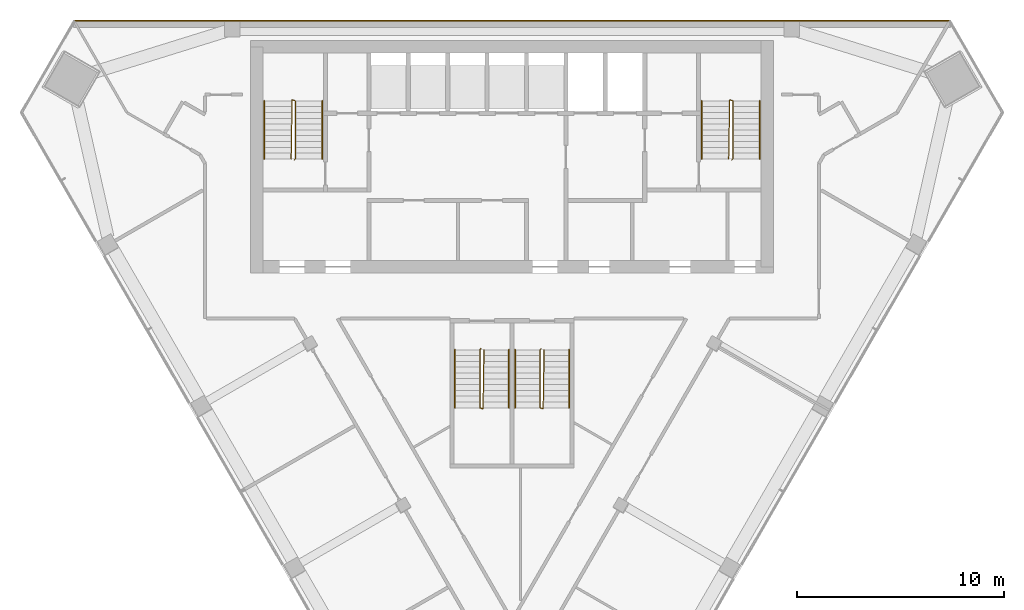
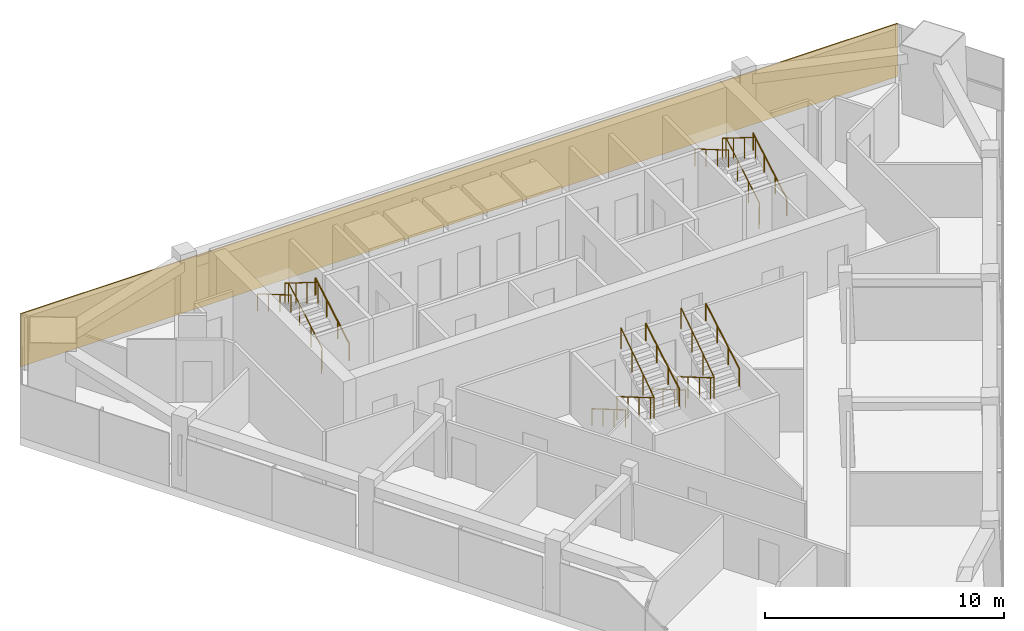
# One storey, part 11 of 12: 12 railings, 1 covering.
"""IFC4 building model written with IfcOpenShell, lengths in metres."""

from ifc_helpers import new_model, si_unit, direction, frame, frame_2d, origin, origin_2d, place, context, subcontext, project, spatial, rectangle, circle, extrude, material, layer, layer_set, type_object, element, save


model = new_model("IFC4")

# Units and contexts
model_context = context("Model", 3, precision=1e-05, world=origin(), true_north=direction((0.0, 1.0)))
body_context = subcontext(model_context, "Body", "Model", "MODEL_VIEW")
ifc_project = project(units=[si_unit("LENGTHUNIT", "METRE"), si_unit("AREAUNIT", "SQUARE_METRE"), si_unit("VOLUMEUNIT", "CUBIC_METRE"), si_unit("PLANEANGLEUNIT", "RADIAN"), si_unit("MASSUNIT", "GRAM", prefix="KILO")], contexts=[model_context])

# Site, building, storey
site_placement = place(None, origin())
site = spatial("IfcSite", under=ifc_project, at=site_placement, CompositionType="ELEMENT")
building_placement = place(site_placement, origin())
building = spatial("IfcBuilding", under=site, at=building_placement, Name="Altiplano Prism Tower", CompositionType="ELEMENT")
storey_placement = place(building_placement, frame((0.0, 0.0, 253.60009765625)))
storey = spatial("IfcBuildingStorey", under=building, at=storey_placement, Name="L65", CompositionType="ELEMENT", Elevation=253.60009765625)

# Railings
ifc_material_1 = material(Name="Steel S355", Category="steel")
railing_type_1 = type_object("IfcRailingType", Name="Stair guard 1100", PredefinedType="GUARDRAIL", material=ifc_material_1)
railing_1_placement = place(storey_placement, frame((74.5, 98.25, 0.0)))
element("IfcRailing", 1, at=railing_1_placement, inside=storey, type_object=railing_type_1, Name="L65 ST1 stair guard 1", PredefinedType="GUARDRAIL", context=body_context, shape_type="SweptSolid", body=[
    extrude(circle(Radius=0.02392578125, at=origin_2d()), frame((0.0, 0.0, 1.076171875), z_axis=(0.280808744504, 0.280808744504, 0.917765164963), x_axis=(-0.707106781187, 0.707106781187, 0.0)), (0.0, 0.0, 1.0), 0.17822265625),
    extrude(circle(Radius=0.02392578125, at=origin_2d()), frame((0.050048828125, 0.050048828125, 1.23974609375), z_axis=(0.0, 0.863393664356, 0.504530851732), x_axis=(-1.0, 0.0, 0.0)), (0.0, 0.0, 1.0), 3.2431640625),
    extrude(circle(Radius=0.02392578125, at=origin_2d()), frame((0.050048828125, 2.85009765625, 2.8759765625), z_axis=(-0.949145278916, 0.314838433982, 0.0), x_axis=(-0.314838433982, -0.949145278916, 0.0)), (0.0, 0.0, 1.0), 0.158203125),
    extrude(circle(Radius=0.02392578125, at=origin_2d()), frame((-0.10009765625, 2.89990234375, 2.8759765625), z_axis=(-0.01477401265, -0.845377694409, 0.533964682676), x_axis=(0.999847325713, -0.01747355902, 0.0)), (0.0, 0.0, 1.0), 3.37109375),
    extrude(circle(Radius=0.02099609375, at=origin_2d()), origin(), (0.0, 0.0, 1.0), 1.052001953125),
    extrude(circle(Radius=0.02099609375, at=origin_2d()), frame((0.050048828125, 0.050048828125, 0.16357421875)), (0.0, 0.0, 1.0), 1.052001953125),
    extrude(circle(Radius=0.02099609375, at=origin_2d()), frame((0.050048828125, 0.9833984375, 0.708984375)), (0.0, 0.0, 1.0), 1.052001953125),
    extrude(circle(Radius=0.02099609375, at=origin_2d()), frame((0.050048828125, 1.916748046875, 1.25439453125)), (0.0, 0.0, 1.0), 1.052001953125),
    extrude(circle(Radius=0.02099609375, at=origin_2d()), frame((0.050048828125, 2.85009765625, 1.7998046875)), (0.0, 0.0, 1.0), 1.052001953125),
    extrude(circle(Radius=0.02099609375, at=origin_2d()), frame((-0.10009765625, 2.89990234375, 1.7998046875)), (0.0, 0.0, 1.0), 1.052001953125),
    extrude(circle(Radius=0.02099609375, at=origin_2d()), frame((-0.11669921875, 1.949951171875, 2.39990234375)), (0.0, 0.0, 1.0), 1.052001953125),
    extrude(circle(Radius=0.02099609375, at=origin_2d()), frame((-0.13330078125, 1.0, 2.999755859375)), (0.0, 0.0, 1.0), 1.052001953125),
    extrude(circle(Radius=0.02099609375, at=origin_2d()), frame((-0.14990234375, 0.050048828125, 3.599853515625)), (0.0, 0.0, 1.0), 1.052001953125),
])
railing_2_placement = place(storey_placement, frame((95.60009765625, 98.25, 0.0)))
element("IfcRailing", 2, at=railing_2_placement, inside=storey, type_object=railing_type_1, Name="L65 ST2 stair guard 1", PredefinedType="GUARDRAIL", context=body_context, shape_type="SweptSolid", body=[
    extrude(circle(Radius=0.02392578125, at=origin_2d()), frame((0.0, 0.0, 1.076171875), z_axis=(0.279546231943, 0.280916556609, 0.91811752648), x_axis=(-0.708833529934, 0.705375805398, 0.0)), (0.0, 0.0, 1.0), 0.17822265625),
    extrude(circle(Radius=0.02392578125, at=origin_2d()), frame((0.0498046875, 0.050048828125, 1.23974609375), z_axis=(0.0, 0.863393664356, 0.504530851732), x_axis=(-1.0, 0.0, 0.0)), (0.0, 0.0, 1.0), 3.2431640625),
    extrude(circle(Radius=0.02392578125, at=origin_2d()), frame((0.0498046875, 2.85009765625, 2.8759765625), z_axis=(-0.948991962702, 0.315300261223, 0.0), x_axis=(-0.315300261223, -0.948991962702, 0.0)), (0.0, 0.0, 1.0), 0.157958984375),
    extrude(circle(Radius=0.02392578125, at=origin_2d()), frame((-0.10009765625, 2.89990234375, 2.8759765625), z_axis=(-0.014846418356, -0.845376787675, 0.533964109957), x_axis=(0.999845825584, -0.017559187376, 0.0)), (0.0, 0.0, 1.0), 3.37109375),
    extrude(circle(Radius=0.02099609375, at=origin_2d()), origin(), (0.0, 0.0, 1.0), 1.052001953125),
    extrude(circle(Radius=0.02099609375, at=origin_2d()), frame((0.0498046875, 0.050048828125, 0.16357421875)), (0.0, 0.0, 1.0), 1.052001953125),
    extrude(circle(Radius=0.02099609375, at=origin_2d()), frame((0.0498046875, 0.9833984375, 0.708984375)), (0.0, 0.0, 1.0), 1.052001953125),
    extrude(circle(Radius=0.02099609375, at=origin_2d()), frame((0.0498046875, 1.916748046875, 1.25439453125)), (0.0, 0.0, 1.0), 1.052001953125),
    extrude(circle(Radius=0.02099609375, at=origin_2d()), frame((0.0498046875, 2.85009765625, 1.7998046875)), (0.0, 0.0, 1.0), 1.052001953125),
    extrude(circle(Radius=0.02099609375, at=origin_2d()), frame((-0.10009765625, 2.89990234375, 1.7998046875)), (0.0, 0.0, 1.0), 1.052001953125),
    extrude(circle(Radius=0.02099609375, at=origin_2d()), frame((-0.11669921875, 1.949951171875, 2.39990234375)), (0.0, 0.0, 1.0), 1.052001953125),
    extrude(circle(Radius=0.02099609375, at=origin_2d()), frame((-0.133544921875, 1.0, 2.999755859375)), (0.0, 0.0, 1.0), 1.052001953125),
    extrude(circle(Radius=0.02099609375, at=origin_2d()), frame((-0.150146484375, 0.050048828125, 3.599853515625)), (0.0, 0.0, 1.0), 1.052001953125),
])
railing_3_placement = place(storey_placement, frame((83.5, 89.14990234375, 0.0)))
element("IfcRailing", 3, at=railing_3_placement, inside=storey, type_object=railing_type_1, Name="L65 ST3A stair guard 1", PredefinedType="GUARDRAIL", context=body_context, shape_type="SweptSolid", body=[
    extrude(circle(Radius=0.02392578125, at=origin_2d()), frame((0.0, 0.0, 1.076171875), z_axis=(-0.280916556609, -0.279546231943, 0.91811752648), x_axis=(0.705375805398, -0.708833529934, 0.0)), (0.0, 0.0, 1.0), 0.17822265625),
    extrude(circle(Radius=0.02392578125, at=origin_2d()), frame((-0.050048828125, -0.0498046875, 1.23974609375), z_axis=(0.0, -0.863393664356, 0.504530851732), x_axis=(1.0, 0.0, 0.0)), (0.0, 0.0, 1.0), 3.2431640625),
    extrude(circle(Radius=0.02392578125, at=origin_2d()), frame((-0.050048828125, -2.849853515625, 2.8759765625), z_axis=(0.948683298051, -0.316227766017, 0.0), x_axis=(0.316227766017, 0.948683298051, 0.0)), (0.0, 0.0, 1.0), 0.158203125),
    extrude(circle(Radius=0.02392578125, at=origin_2d()), frame((0.10009765625, -2.89990234375, 2.8759765625), z_axis=(0.014773108175, 0.84539835705, 0.533931993021), x_axis=(-0.999847351862, 0.017472062685, 0.0)), (0.0, 0.0, 1.0), 3.371337890625),
    extrude(circle(Radius=0.02099609375, at=origin_2d()), origin(), (0.0, 0.0, 1.0), 1.052001953125),
    extrude(circle(Radius=0.02099609375, at=origin_2d()), frame((-0.050048828125, -0.0498046875, 0.16357421875)), (0.0, 0.0, 1.0), 1.052001953125),
    extrude(circle(Radius=0.02099609375, at=origin_2d()), frame((-0.050048828125, -0.983154296875, 0.708984375)), (0.0, 0.0, 1.0), 1.052001953125),
    extrude(circle(Radius=0.02099609375, at=origin_2d()), frame((-0.050048828125, -1.91650390625, 1.25439453125)), (0.0, 0.0, 1.0), 1.052001953125),
    extrude(circle(Radius=0.02099609375, at=origin_2d()), frame((-0.050048828125, -2.849853515625, 1.7998046875)), (0.0, 0.0, 1.0), 1.052001953125),
    extrude(circle(Radius=0.02099609375, at=origin_2d()), frame((0.10009765625, -2.89990234375, 1.7998046875)), (0.0, 0.0, 1.0), 1.052001953125),
    extrude(circle(Radius=0.02099609375, at=origin_2d()), frame((0.11669921875, -1.949951171875, 2.39990234375)), (0.0, 0.0, 1.0), 1.052001953125),
    extrude(circle(Radius=0.02099609375, at=origin_2d()), frame((0.13330078125, -0.999755859375, 2.999755859375)), (0.0, 0.0, 1.0), 1.052001953125),
    extrude(circle(Radius=0.02099609375, at=origin_2d()), frame((0.14990234375, -0.0498046875, 3.599853515625)), (0.0, 0.0, 1.0), 1.052001953125),
])
railing_4_placement = place(storey_placement, frame((86.39990234375, 89.14990234375, 0.0)))
element("IfcRailing", 4, at=railing_4_placement, inside=storey, type_object=railing_type_1, Name="L65 ST3B stair guard 1", PredefinedType="GUARDRAIL", context=body_context, shape_type="SweptSolid", body=[
    extrude(circle(Radius=0.02392578125, at=origin_2d()), frame((0.0, 0.0, 1.076171875), z_axis=(-0.279653641804, -0.279653641804, 0.918470294159), x_axis=(0.707106781187, -0.707106781187, 0.0)), (0.0, 0.0, 1.0), 0.177978515625),
    extrude(circle(Radius=0.02392578125, at=origin_2d()), frame((-0.0498046875, -0.0498046875, 1.23974609375), z_axis=(0.0, -0.863393664356, 0.504530851732), x_axis=(1.0, 0.0, 0.0)), (0.0, 0.0, 1.0), 3.2431640625),
    extrude(circle(Radius=0.02392578125, at=origin_2d()), frame((-0.0498046875, -2.849853515625, 2.8759765625), z_axis=(0.948528701346, -0.316691178788, 0.0), x_axis=(0.316691178788, 0.948528701346, 0.0)), (0.0, 0.0, 1.0), 0.157958984375),
    extrude(circle(Radius=0.02392578125, at=origin_2d()), frame((0.10009765625, -2.89990234375, 2.8759765625), z_axis=(0.014845509451, 0.845397450405, 0.533931420407), x_axis=(-0.999845851991, 0.017557683712, 0.0)), (0.0, 0.0, 1.0), 3.371337890625),
    extrude(circle(Radius=0.02099609375, at=origin_2d()), origin(), (0.0, 0.0, 1.0), 1.052001953125),
    extrude(circle(Radius=0.02099609375, at=origin_2d()), frame((-0.0498046875, -0.0498046875, 0.16357421875)), (0.0, 0.0, 1.0), 1.052001953125),
    extrude(circle(Radius=0.02099609375, at=origin_2d()), frame((-0.0498046875, -0.983154296875, 0.708984375)), (0.0, 0.0, 1.0), 1.052001953125),
    extrude(circle(Radius=0.02099609375, at=origin_2d()), frame((-0.0498046875, -1.91650390625, 1.25439453125)), (0.0, 0.0, 1.0), 1.052001953125),
    extrude(circle(Radius=0.02099609375, at=origin_2d()), frame((-0.0498046875, -2.849853515625, 1.7998046875)), (0.0, 0.0, 1.0), 1.052001953125),
    extrude(circle(Radius=0.02099609375, at=origin_2d()), frame((0.10009765625, -2.89990234375, 1.7998046875)), (0.0, 0.0, 1.0), 1.052001953125),
    extrude(circle(Radius=0.02099609375, at=origin_2d()), frame((0.11669921875, -1.949951171875, 2.39990234375)), (0.0, 0.0, 1.0), 1.052001953125),
    extrude(circle(Radius=0.02099609375, at=origin_2d()), frame((0.133544921875, -0.999755859375, 2.999755859375)), (0.0, 0.0, 1.0), 1.052001953125),
    extrude(circle(Radius=0.02099609375, at=origin_2d()), frame((0.150146484375, -0.0498046875, 3.599853515625)), (0.0, 0.0, 1.0), 1.052001953125),
])
railing_type_2 = type_object("IfcRailingType", Name="Stair handrail 900", PredefinedType="HANDRAIL", material=ifc_material_1)
railing_5_placement = place(storey_placement, frame((75.85009765625, 98.300048828125, 0.16357421875)))
element("IfcRailing", 5, at=railing_5_placement, inside=storey, type_object=railing_type_2, Name="L65 ST1 stair handrail 1", PredefinedType="HANDRAIL", context=body_context, shape_type="SweptSolid", body=[
    extrude(circle(Radius=0.02392578125, at=origin_2d()), frame((0.0, 0.0, 0.8759765625), z_axis=(0.0, 0.863393664356, 0.504530851732), x_axis=(-1.0, 0.0, 0.0)), (0.0, 0.0, 1.0), 3.2431640625),
    extrude(circle(Radius=0.02099609375, at=origin_2d()), origin(), (0.0, 0.0, 1.0), 0.851806640625),
    extrude(circle(Radius=0.02099609375, at=origin_2d()), frame((0.0, 0.933349609375, 0.54541015625)), (0.0, 0.0, 1.0), 0.851806640625),
    extrude(circle(Radius=0.02099609375, at=origin_2d()), frame((0.0, 1.86669921875, 1.0908203125)), (0.0, 0.0, 1.0), 0.851806640625),
    extrude(circle(Radius=0.02099609375, at=origin_2d()), frame((0.0, 2.800048828125, 1.63623046875)), (0.0, 0.0, 1.0), 0.851806640625),
])
railing_6_placement = place(storey_placement, frame((73.050048828125, 101.10009765625, 1.963623046875)))
element("IfcRailing", 6, at=railing_6_placement, inside=storey, type_object=railing_type_2, Name="L65 ST1 stair handrail 2", PredefinedType="HANDRAIL", context=body_context, shape_type="SweptSolid", body=[
    extrude(circle(Radius=0.02392578125, at=origin_2d()), frame((0.0, 0.0, 0.8759765625), z_axis=(0.0, -0.863393664356, 0.504530851732), x_axis=(1.0, 0.0, 0.0)), (0.0, 0.0, 1.0), 3.2431640625),
    extrude(circle(Radius=0.02099609375, at=origin_2d()), origin(), (0.0, 0.0, 1.0), 0.851806640625),
    extrude(circle(Radius=0.02099609375, at=origin_2d()), frame((0.0, -0.933349609375, 0.54541015625)), (0.0, 0.0, 1.0), 0.851806640625),
    extrude(circle(Radius=0.02099609375, at=origin_2d()), frame((0.0, -1.86669921875, 1.0908203125)), (0.0, 0.0, 1.0), 0.851806640625),
    extrude(circle(Radius=0.02099609375, at=origin_2d()), frame((0.0, -2.800048828125, 1.63623046875)), (0.0, 0.0, 1.0), 0.851806640625),
])
railing_7_placement = place(storey_placement, frame((96.949951171875, 98.300048828125, 0.16357421875)))
element("IfcRailing", 7, at=railing_7_placement, inside=storey, type_object=railing_type_2, Name="L65 ST2 stair handrail 1", PredefinedType="HANDRAIL", context=body_context, shape_type="SweptSolid", body=[
    extrude(circle(Radius=0.02392578125, at=origin_2d()), frame((0.0, 0.0, 0.8759765625), z_axis=(0.0, 0.863393664356, 0.504530851732), x_axis=(-1.0, 0.0, 0.0)), (0.0, 0.0, 1.0), 3.2431640625),
    extrude(circle(Radius=0.02099609375, at=origin_2d()), origin(), (0.0, 0.0, 1.0), 0.851806640625),
    extrude(circle(Radius=0.02099609375, at=origin_2d()), frame((0.0, 0.933349609375, 0.54541015625)), (0.0, 0.0, 1.0), 0.851806640625),
    extrude(circle(Radius=0.02099609375, at=origin_2d()), frame((0.0, 1.86669921875, 1.0908203125)), (0.0, 0.0, 1.0), 0.851806640625),
    extrude(circle(Radius=0.02099609375, at=origin_2d()), frame((0.0, 2.800048828125, 1.63623046875)), (0.0, 0.0, 1.0), 0.851806640625),
])
for number, where, name in (
    (8, (94.14990234375, 101.10009765625, 1.963623046875), "L65 ST2 stair handrail 2"),
    (9, (82.25, 89.10009765625, 0.16357421875), "L65 ST3A stair handrail 1"),
):
    element("IfcRailing", number, at=place(storey_placement, frame(where)), inside=storey, type_object=railing_type_2, Name=name, PredefinedType="HANDRAIL", context=body_context, shape_type="SweptSolid", body=[
        extrude(circle(Radius=0.02392578125, at=origin_2d()), frame((0.0, 0.0, 0.8759765625), z_axis=(0.0, -0.863393664356, 0.504530851732), x_axis=(1.0, 0.0, 0.0)), (0.0, 0.0, 1.0), 3.2431640625),
        extrude(circle(Radius=0.02099609375, at=origin_2d()), origin(), (0.0, 0.0, 1.0), 0.851806640625),
        extrude(circle(Radius=0.02099609375, at=origin_2d()), frame((0.0, -0.933349609375, 0.54541015625)), (0.0, 0.0, 1.0), 0.851806640625),
        extrude(circle(Radius=0.02099609375, at=origin_2d()), frame((0.0, -1.86669921875, 1.0908203125)), (0.0, 0.0, 1.0), 0.851806640625),
        extrude(circle(Radius=0.02099609375, at=origin_2d()), frame((0.0, -2.800048828125, 1.63623046875)), (0.0, 0.0, 1.0), 0.851806640625),
    ])
railing_8_placement = place(storey_placement, frame((84.85009765625, 86.300048828125, 1.963623046875)))
element("IfcRailing", 10, at=railing_8_placement, inside=storey, type_object=railing_type_2, Name="L65 ST3A stair handrail 2", PredefinedType="HANDRAIL", context=body_context, shape_type="SweptSolid", body=[
    extrude(circle(Radius=0.02392578125, at=origin_2d()), frame((0.0, 0.0, 0.8759765625), z_axis=(0.0, 0.863393664356, 0.504530851732), x_axis=(-1.0, 0.0, 0.0)), (0.0, 0.0, 1.0), 3.2431640625),
    extrude(circle(Radius=0.02099609375, at=origin_2d()), origin(), (0.0, 0.0, 1.0), 0.851806640625),
    extrude(circle(Radius=0.02099609375, at=origin_2d()), frame((0.0, 0.933349609375, 0.54541015625)), (0.0, 0.0, 1.0), 0.851806640625),
    extrude(circle(Radius=0.02099609375, at=origin_2d()), frame((0.0, 1.86669921875, 1.0908203125)), (0.0, 0.0, 1.0), 0.851806640625),
    extrude(circle(Radius=0.02099609375, at=origin_2d()), frame((0.0, 2.800048828125, 1.63623046875)), (0.0, 0.0, 1.0), 0.851806640625),
])
railing_9_placement = place(storey_placement, frame((85.14990234375, 89.10009765625, 0.16357421875)))
element("IfcRailing", 11, at=railing_9_placement, inside=storey, type_object=railing_type_2, Name="L65 ST3B stair handrail 1", PredefinedType="HANDRAIL", context=body_context, shape_type="SweptSolid", body=[
    extrude(circle(Radius=0.02392578125, at=origin_2d()), frame((0.0, 0.0, 0.8759765625), z_axis=(0.0, -0.863393664356, 0.504530851732), x_axis=(1.0, 0.0, 0.0)), (0.0, 0.0, 1.0), 3.2431640625),
    extrude(circle(Radius=0.02099609375, at=origin_2d()), origin(), (0.0, 0.0, 1.0), 0.851806640625),
    extrude(circle(Radius=0.02099609375, at=origin_2d()), frame((0.0, -0.933349609375, 0.54541015625)), (0.0, 0.0, 1.0), 0.851806640625),
    extrude(circle(Radius=0.02099609375, at=origin_2d()), frame((0.0, -1.86669921875, 1.0908203125)), (0.0, 0.0, 1.0), 0.851806640625),
    extrude(circle(Radius=0.02099609375, at=origin_2d()), frame((0.0, -2.800048828125, 1.63623046875)), (0.0, 0.0, 1.0), 0.851806640625),
])
railing_10_placement = place(storey_placement, frame((87.75, 86.300048828125, 1.963623046875)))
element("IfcRailing", 12, at=railing_10_placement, inside=storey, type_object=railing_type_2, Name="L65 ST3B stair handrail 2", PredefinedType="HANDRAIL", context=body_context, shape_type="SweptSolid", body=[
    extrude(circle(Radius=0.02392578125, at=origin_2d()), frame((0.0, 0.0, 0.8759765625), z_axis=(0.0, 0.863393664356, 0.504530851732), x_axis=(-1.0, 0.0, 0.0)), (0.0, 0.0, 1.0), 3.2431640625),
    extrude(circle(Radius=0.02099609375, at=origin_2d()), origin(), (0.0, 0.0, 1.0), 0.851806640625),
    extrude(circle(Radius=0.02099609375, at=origin_2d()), frame((0.0, 0.933349609375, 0.54541015625)), (0.0, 0.0, 1.0), 0.851806640625),
    extrude(circle(Radius=0.02099609375, at=origin_2d()), frame((0.0, 1.86669921875, 1.0908203125)), (0.0, 0.0, 1.0), 0.851806640625),
    extrude(circle(Radius=0.02099609375, at=origin_2d()), frame((0.0, 2.800048828125, 1.63623046875)), (0.0, 0.0, 1.0), 0.851806640625),
])

# Covering
ifc_material_2 = material(Name="Warm limestone cast stone", Category="masonry")
ifc_layer = layer(ifc_material_2, 0.06005859375)
ifc_layer_set = layer_set([ifc_layer], Name="Warm limestone cast stone")
covering_type = type_object("IfcCoveringType", Name="Stone cladding 60", PredefinedType="CLADDING", material=ifc_layer_set)
covering_placement = place(storey_placement, frame((63.851806640625, 104.969970703125, 0.0), z_axis=(0.0, 0.0, 1.0), x_axis=(1.0, 0.0, 0.0)))
element("IfcCovering", 13, at=covering_placement, inside=storey, type_object=covering_type, Name="Stone cladding north face L65", PredefinedType="CLADDING", context=body_context, shape_type="SweptSolid", body=[
    extrude(rectangle(XDim=42.29638671875, YDim=0.06005859375, at=frame_2d((21.148193359375, 0.0))), origin(), (0.0, 0.0, 1.0), 2.699951171875),
])

save(model, "model.ifc")
